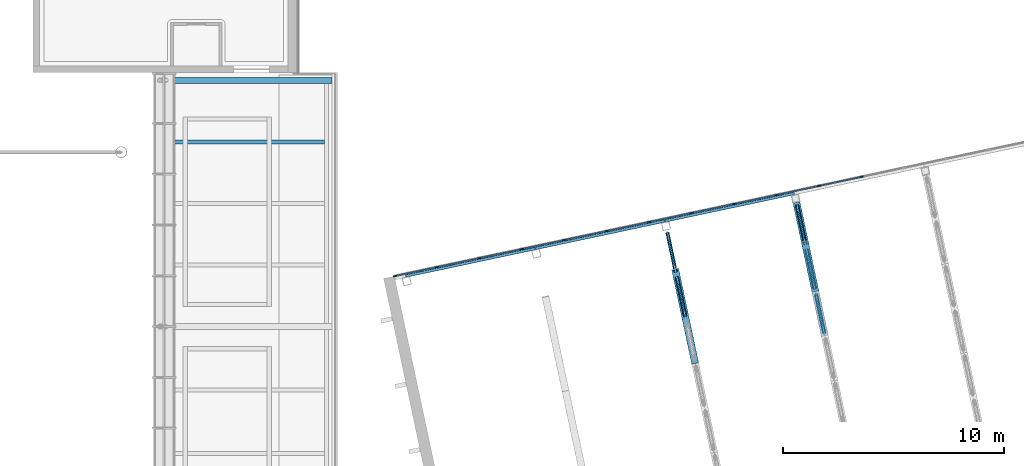
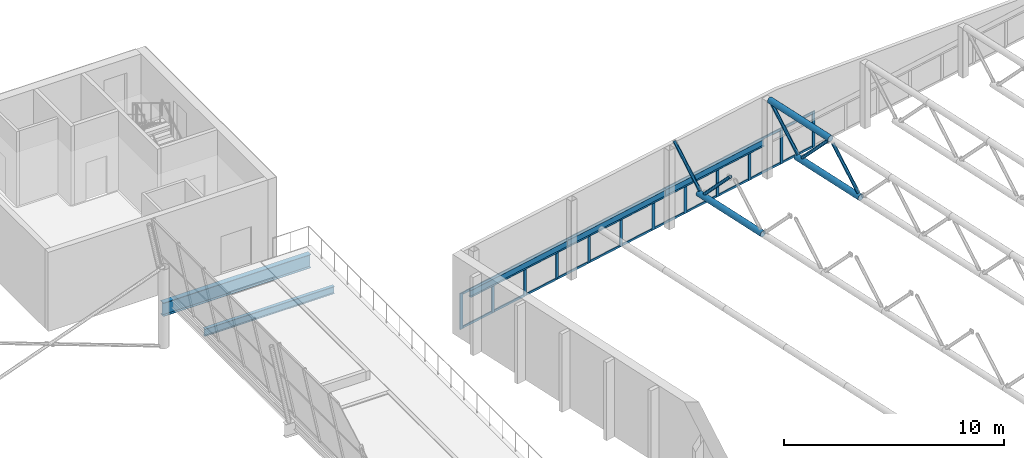
# One storey, part 17 of 58: 42 members, 5 beams, 1 element without a shape of its own.
"""IFC4 building model written with IfcOpenShell, lengths in metres."""

import ifcopenshell
import ifcopenshell.guid

model = None  # the IFC model being written
_history = None  # IfcOwnerHistory: only IFC2X3 demands one
_inside = {}  # id of a spatial element -> (the spatial element, [elements in it])
_under = {}  # id of a project, library or spatial element -> (it, [spatial elements below it])
_declared = {}  # id of a project -> (the project, [libraries it declares])
_typed = {}  # id of a type object -> (the type object, [elements of that type])
_made_of = {}  # id of a material, layer set ... -> (it, [elements and type objects made of it])


def new_model(schema):
    """Start an empty IFC model of exactly this schema.

    Asked for "IFC4X3", IfcOpenShell would pick the latest addendum, in which some entities
    have other attributes; the version numbers below select the first issue.
    IFC2X3 requires an IfcOwnerHistory on every rooted entity: one is made here for all.
    """
    global model, _history
    if schema == "IFC4X3":
        model = ifcopenshell.file(schema_version=(4, 3, 0, 0))
    else:
        model = ifcopenshell.file(schema=schema)
    _inside.clear()
    _under.clear()
    _declared.clear()
    _typed.clear()
    _made_of.clear()
    _history = None
    if model.schema == "IFC2X3":
        org = make("IfcOrganization", Name="unknown")
        user = make(
            "IfcPersonAndOrganization",
            ThePerson=make("IfcPerson", FamilyName="unknown"),
            TheOrganization=org,
        )
        app = make(
            "IfcApplication",
            ApplicationDeveloper=org,
            Version="unknown",
            ApplicationFullName="unknown",
            ApplicationIdentifier="unknown",
        )
        _history = make(
            "IfcOwnerHistory",
            OwningUser=user,
            OwningApplication=app,
            ChangeAction="ADDED",
            CreationDate=0,
        )
    return model


def make(cls, **values):
    """One entity of the class cls with the attributes given. An attribute that is None is left unset."""
    return model.create_entity(
        cls, **{name: value for name, value in values.items() if value is not None}
    )


def rooted(cls, **values):
    """An entity with a GlobalId (a new one), such as an element, a storey or a relation."""
    return make(cls, GlobalId=ifcopenshell.guid.new(), OwnerHistory=_history, **values)


def si_unit(unit_type, name, prefix=None):
    """IfcSIUnit, for example si_unit("LENGTHUNIT", "METRE", prefix="MILLI")."""
    return make("IfcSIUnit", UnitType=unit_type, Prefix=prefix, Name=name)


def assignment(units):
    """IfcUnitAssignment: the units of a project."""
    return None if units is None else make("IfcUnitAssignment", Units=units)


def point(xyz):
    """IfcCartesianPoint."""
    return None if xyz is None else make("IfcCartesianPoint", Coordinates=xyz)


def direction(xyz):
    """IfcDirection."""
    return None if xyz is None else make("IfcDirection", DirectionRatios=xyz)


def frame(location, z_axis=None, x_axis=None):
    """IfcAxis2Placement3D, a coordinate frame: its origin and axes. An axis left out is left unset."""
    return make(
        "IfcAxis2Placement3D",
        Location=point(location),
        Axis=direction(z_axis),
        RefDirection=direction(x_axis),
    )


def frame_2d(location, x_axis=None):
    """IfcAxis2Placement2D, a coordinate frame in the plane: its origin and x axis."""
    return make(
        "IfcAxis2Placement2D", Location=point(location), RefDirection=direction(x_axis)
    )


def origin():
    """The frame at (0, 0, 0) with its axes left unset."""
    return frame((0.0, 0.0, 0.0))


def origin_2d():
    """The frame at (0, 0) in the plane with its x axis left unset."""
    return frame_2d((0.0, 0.0))


def place(relative_to, where):
    """IfcLocalPlacement: puts the frame where relative to a parent placement (None: the world)."""
    return make(
        "IfcLocalPlacement", PlacementRelTo=relative_to, RelativePlacement=where
    )


def context(
    kind, dimensions, precision=None, world=None, true_north=None, identifier=None
):
    """IfcGeometricRepresentationContext, for example the 3D "Model" context."""
    return make(
        "IfcGeometricRepresentationContext",
        ContextIdentifier=identifier,
        ContextType=kind,
        CoordinateSpaceDimension=dimensions,
        Precision=precision,
        WorldCoordinateSystem=world,
        TrueNorth=true_north,
    )


def subcontext(parent, identifier, kind, view, scale=None):
    """IfcGeometricRepresentationSubContext, for example "Body" below "Model"."""
    return make(
        "IfcGeometricRepresentationSubContext",
        ContextIdentifier=identifier,
        ContextType=kind,
        ParentContext=parent,
        TargetScale=scale,
        TargetView=view,
    )


def project(units=None, contexts=None):
    """IfcProject with its units and contexts."""
    return rooted(
        "IfcProject",
        Name="project",
        RepresentationContexts=contexts,
        UnitsInContext=assignment(units),
    )


def spatial(cls, under=None, at=None, **own):
    """A site, building, storey or space (cls), placed at a placement, below another one or the project."""
    s = rooted(cls, ObjectPlacement=at, **own)
    if under is not None:
        _under.setdefault(under.id(), (under, []))[1].append(s)
    return s


def profile(cls, at=None, kind="AREA", **sizes):
    """A parametric profile (cls). Its sizes go by their IFC names, for example OverallWidth=200.0."""
    return make(cls, ProfileType=kind, Position=at, **sizes)


def rectangle(**sizes):
    """IfcRectangleProfileDef."""
    return profile("IfcRectangleProfileDef", **sizes)


def hollow_circle(**sizes):
    """IfcCircleHollowProfileDef."""
    return profile("IfcCircleHollowProfileDef", **sizes)


def i_section(**sizes):
    """IfcIShapeProfileDef."""
    return profile("IfcIShapeProfileDef", **sizes)


def extrude(swept, where, along, depth):
    """IfcExtrudedAreaSolid: the profile swept, set in the frame where, extruded along a direction by depth."""
    return make(
        "IfcExtrudedAreaSolid",
        SweptArea=swept,
        Position=where,
        ExtrudedDirection=direction(along),
        Depth=depth,
    )


def shape(context_of_items, identifier, shape_type, items):
    """IfcShapeRepresentation: the items that make up one representation, for example the "Body"."""
    return make(
        "IfcShapeRepresentation",
        ContextOfItems=context_of_items,
        RepresentationIdentifier=identifier,
        RepresentationType=shape_type,
        Items=items,
    )


def material(Name=None, Category=None):
    """IfcMaterial."""
    return make("IfcMaterial", Name=Name, Category=Category)


def layer(
    of_material, thickness, ventilated=None, Name=None, Category=None, Priority=None
):
    """IfcMaterialLayer: one layer of a wall or slab, of a material (None: an air gap)."""
    return make(
        "IfcMaterialLayer",
        Material=of_material,
        LayerThickness=thickness,
        IsVentilated=ventilated,
        Name=Name,
        Category=Category,
        Priority=Priority,
    )


def layer_set(layers, Name=None):
    """IfcMaterialLayerSet."""
    return make("IfcMaterialLayerSet", MaterialLayers=layers, LayerSetName=Name)


def material_profile(
    of_material, cross_section, Name=None, Category=None, Priority=None
):
    """IfcMaterialProfile: a cross section and its material."""
    return make(
        "IfcMaterialProfile",
        Name=Name,
        Material=of_material,
        Profile=cross_section,
        Priority=Priority,
        Category=Category,
    )


def profile_set(profiles, Name=None, composite=None):
    """IfcMaterialProfileSet."""
    return make(
        "IfcMaterialProfileSet",
        Name=Name,
        MaterialProfiles=profiles,
        CompositeProfile=composite,
    )


def made_of(thing, what):
    """Note that an element or type object is made of a material, layer set ...; save() writes the relation."""
    if what is not None:
        _made_of.setdefault(what.id(), (what, []))[1].append(thing)
    return thing


def type_object(cls, material=None, **own):
    """A type object (cls), such as IfcWallType, which elements share."""
    return made_of(rooted(cls, **own), material)


def element(
    cls,
    number,
    at=None,
    inside=None,
    cuts=None,
    type_object=None,
    material=None,
    context=None,
    identifier="Body",
    shape_type=None,
    held_by="IfcProductDefinitionShape",
    body=None,
    shapes=None,
    **own,
):
    """One element of the class cls, such as IfcWall. Its Tag is "e" and its number.

    at: its placement. inside: the storey or other place that contains it. cuts: it is an
    opening in that element (IfcRelVoidsElement). A single representation is given by context,
    identifier, shape_type and body (its items); several are given by shapes. held_by: the class
    of the entity that holds the representations. save() writes the other relations.
    """
    e = rooted(cls, Tag="e%d" % number, ObjectPlacement=at, **own)
    if body is not None:
        shapes = [shape(context, identifier, shape_type, body)]
    if shapes is not None:
        e.Representation = make(held_by, Representations=shapes)
    if inside is not None:
        _inside.setdefault(inside.id(), (inside, []))[1].append(e)
    if cuts is not None:
        rooted(
            "IfcRelVoidsElement", RelatingBuildingElement=cuts, RelatedOpeningElement=e
        )
    if type_object is not None:
        _typed.setdefault(type_object.id(), (type_object, []))[1].append(e)
    return made_of(e, material)


def aggregate(whole, parts):
    """IfcRelAggregates: a whole, such as a stair, and the parts it consists of."""
    return rooted("IfcRelAggregates", RelatingObject=whole, RelatedObjects=parts)


def save(model, path):
    """Write the relations noted so far, then the file.

    IfcRelAggregates (storeys below a building ...), IfcRelContainedInSpatialStructure (elements
    in a storey), IfcRelDefinesByType, IfcRelAssociatesMaterial and IfcRelDeclares: one each for
    every whole, place, type object, material and project.
    """
    for whole, parts in _under.values():
        aggregate(whole, parts)
    for where, things in _inside.values():
        rooted(
            "IfcRelContainedInSpatialStructure",
            RelatedElements=things,
            RelatingStructure=where,
        )
    for kind, things in _typed.values():
        rooted("IfcRelDefinesByType", RelatedObjects=things, RelatingType=kind)
    for what, things in _made_of.values():
        rooted("IfcRelAssociatesMaterial", RelatedObjects=things, RelatingMaterial=what)
    for by, libraries in _declared.values():
        rooted("IfcRelDeclares", RelatingContext=by, RelatedDefinitions=libraries)
    model.write(path)


model = new_model("IFC4")

# Units and contexts
model_context = context("Model", 3, precision=1e-05, world=origin(), true_north=direction((0.0, 1.0)))
body_context = subcontext(model_context, "Body", "Model", "MODEL_VIEW")
ifc_project = project(units=[si_unit("LENGTHUNIT", "METRE"), si_unit("AREAUNIT", "SQUARE_METRE"), si_unit("VOLUMEUNIT", "CUBIC_METRE"), si_unit("PLANEANGLEUNIT", "RADIAN"), si_unit("MASSUNIT", "GRAM", prefix="KILO")], contexts=[model_context])

# Site, building, storey
site_placement = place(None, origin())
site = spatial("IfcSite", under=ifc_project, at=site_placement, CompositionType="ELEMENT")
building_placement = place(site_placement, origin())
building = spatial("IfcBuilding", under=site, at=building_placement, Name="Windward Yard Aquatics Centre", CompositionType="ELEMENT")
storey_placement = place(building_placement, frame((0.0, 0.0, 13.800048828125)))
storey = spatial("IfcBuildingStorey", under=building, at=storey_placement, Name="L03", CompositionType="ELEMENT", Elevation=13.800048828125)

# Members
ifc_material_1 = material(Name="Steel ASTM A500 Gr C", Category="steel")
ifc_material_profile_1 = material_profile(ifc_material_1, hollow_circle(Radius=0.161865234375, WallThickness=0.0126953125, at=origin_2d()), Name="HSS323.9X12.7")
ifc_profile_set_1 = profile_set([ifc_material_profile_1], Name="Steel ASTM A500 Gr C")
member_type_1 = type_object("IfcMemberType", Name="D bottom chord HSS323.9X12.7", PredefinedType="CHORD", material=ifc_profile_set_1)
member_1_placement = place(storey_placement, frame((169.989501953125, 70.82861328125, 2.925537109375), z_axis=(-0.207907524746, 0.97814848625, 0.0), x_axis=(-0.97814848625, -0.207907524746, 0.0)))
element("IfcMember", 1, at=member_1_placement, inside=storey, type_object=member_type_1, Name="D.M.TR3.BC7", PredefinedType="CHORD", context=body_context, shape_type="SweptSolid", body=[
    extrude(hollow_circle(Radius=0.161865234375, WallThickness=0.0126953125, at=origin_2d()), origin(), (0.0, 0.0, 1.0), 4.37060546875),
])
member_2_placement = place(storey_placement, frame((175.858154296875, 72.076171875, 2.13623046875), z_axis=(-0.207865436968, 0.97815743115, 0.0), x_axis=(-0.97815743115, -0.207865436968, 0.0)))
element("IfcMember", 2, at=member_2_placement, inside=storey, type_object=member_type_1, Name="D.M.TR4.BC7", PredefinedType="CHORD", context=body_context, shape_type="SweptSolid", body=[
    extrude(hollow_circle(Radius=0.161865234375, WallThickness=0.0126953125, at=origin_2d()), origin(), (0.0, 0.0, 1.0), 4.370361328125),
])

# Curtain wall, members
ifc_material_2 = material(Name="Aluminium and glass", Category="aluminium")
ifc_layer = layer(ifc_material_2, 0.159912109375)
ifc_layer_set = layer_set([ifc_layer], Name="D curtain wall 160")
curtain_wall_type = type_object("IfcCurtainWallType", Name="D curtain wall 160", PredefinedType="NOTDEFINED", material=ifc_layer_set)
curtain_wall_placement = place(storey_placement, origin())
curtain_wall = element("IfcCurtainWall", 3, at=curtain_wall_placement, inside=storey, type_object=curtain_wall_type, Name="North glazing L03", PredefinedType="NOTDEFINED")
ifc_material_3 = material(Name="Aluminium extrusion", Category="aluminium")
ifc_material_profile_2 = material_profile(ifc_material_3, rectangle(XDim=0.06005859375, YDim=0.159912109375, at=origin_2d()), Name="MULLION 60X160")
ifc_profile_set_2 = profile_set([ifc_material_profile_2], Name="Aluminium extrusion")
member_type_2 = type_object("IfcMemberType", Name="D curtain wall mullion 60X160", PredefinedType="MULLION", material=ifc_profile_set_2)
member_3_placement = place(storey_placement, frame((156.399169921875, 74.788330078125, 0.0), z_axis=(0.0, 0.0, 1.0), x_axis=(-0.207911718662, 0.978147594815, 0.0)))
member_3 = element("IfcMember", 4, at=member_3_placement, type_object=member_type_2, Name="DCW-L03 mullion 1", PredefinedType="MULLION", context=body_context, shape_type="SweptSolid", body=[
    extrude(rectangle(XDim=0.06005859375, YDim=0.159912109375, at=origin_2d()), origin(), (0.0, 0.0, 1.0), 2.0),
])
member_4_placement = place(storey_placement, frame((158.292724609375, 75.19091796875, 0.0), z_axis=(0.0, 0.0, 1.0), x_axis=(-0.207911718662, 0.978147594815, 0.0)))
member_4 = element("IfcMember", 5, at=member_4_placement, type_object=member_type_2, Name="DCW-L03 mullion 2", PredefinedType="MULLION", context=body_context, shape_type="SweptSolid", body=[
    extrude(rectangle(XDim=0.06005859375, YDim=0.159912109375, at=origin_2d()), origin(), (0.0, 0.0, 1.0), 2.0),
])
member_5_placement = place(storey_placement, frame((160.215576171875, 75.599609375, 0.0), z_axis=(0.0, 0.0, 1.0), x_axis=(-0.207911718662, 0.978147594815, 0.0)))
member_5 = element("IfcMember", 6, at=member_5_placement, type_object=member_type_2, Name="DCW-L03 mullion 3", PredefinedType="MULLION", context=body_context, shape_type="SweptSolid", body=[
    extrude(rectangle(XDim=0.06005859375, YDim=0.159912109375, at=origin_2d()), origin(), (0.0, 0.0, 1.0), 2.0),
])
member_6_placement = place(storey_placement, frame((162.13818359375, 76.00830078125, 0.0), z_axis=(0.0, 0.0, 1.0), x_axis=(-0.207911718662, 0.978147594815, 0.0)))
member_6 = element("IfcMember", 7, at=member_6_placement, type_object=member_type_2, Name="DCW-L03 mullion 4", PredefinedType="MULLION", context=body_context, shape_type="SweptSolid", body=[
    extrude(rectangle(XDim=0.06005859375, YDim=0.159912109375, at=origin_2d()), origin(), (0.0, 0.0, 1.0), 2.0),
])
member_7_placement = place(storey_placement, frame((164.06103515625, 76.4169921875, 0.0), z_axis=(0.0, 0.0, 1.0), x_axis=(-0.207911718662, 0.978147594815, 0.0)))
member_7 = element("IfcMember", 8, at=member_7_placement, type_object=member_type_2, Name="DCW-L03 mullion 5", PredefinedType="MULLION", context=body_context, shape_type="SweptSolid", body=[
    extrude(rectangle(XDim=0.06005859375, YDim=0.159912109375, at=origin_2d()), origin(), (0.0, 0.0, 1.0), 2.0),
])
member_8_placement = place(storey_placement, frame((165.98388671875, 76.82568359375, 0.0), z_axis=(0.0, 0.0, 1.0), x_axis=(-0.207911718662, 0.978147594815, 0.0)))
member_8 = element("IfcMember", 9, at=member_8_placement, type_object=member_type_2, Name="DCW-L03 mullion 6", PredefinedType="MULLION", context=body_context, shape_type="SweptSolid", body=[
    extrude(rectangle(XDim=0.06005859375, YDim=0.159912109375, at=origin_2d()), origin(), (0.0, 0.0, 1.0), 2.0),
])
member_9_placement = place(storey_placement, frame((167.90673828125, 77.234375, 0.0), z_axis=(0.0, 0.0, 1.0), x_axis=(-0.207911718662, 0.978147594815, 0.0)))
member_9 = element("IfcMember", 10, at=member_9_placement, type_object=member_type_2, Name="DCW-L03 mullion 7", PredefinedType="MULLION", context=body_context, shape_type="SweptSolid", body=[
    extrude(rectangle(XDim=0.06005859375, YDim=0.159912109375, at=origin_2d()), origin(), (0.0, 0.0, 1.0), 2.0),
])
member_10_placement = place(storey_placement, frame((169.82958984375, 77.64306640625, 0.0), z_axis=(0.0, 0.0, 1.0), x_axis=(-0.207911718662, 0.978147594815, 0.0)))
member_10 = element("IfcMember", 11, at=member_10_placement, type_object=member_type_2, Name="DCW-L03 mullion 8", PredefinedType="MULLION", context=body_context, shape_type="SweptSolid", body=[
    extrude(rectangle(XDim=0.06005859375, YDim=0.159912109375, at=origin_2d()), origin(), (0.0, 0.0, 1.0), 2.0),
])
member_11_placement = place(storey_placement, frame((171.75244140625, 78.0517578125, 0.0), z_axis=(0.0, 0.0, 1.0), x_axis=(-0.207911718662, 0.978147594815, 0.0)))
member_11 = element("IfcMember", 12, at=member_11_placement, type_object=member_type_2, Name="DCW-L03 mullion 9", PredefinedType="MULLION", context=body_context, shape_type="SweptSolid", body=[
    extrude(rectangle(XDim=0.06005859375, YDim=0.159912109375, at=origin_2d()), origin(), (0.0, 0.0, 1.0), 2.0),
])
member_12_placement = place(storey_placement, frame((173.67529296875, 78.46044921875, 0.0), z_axis=(0.0, 0.0, 1.0), x_axis=(-0.207911718662, 0.978147594815, 0.0)))
member_12 = element("IfcMember", 13, at=member_12_placement, type_object=member_type_2, Name="DCW-L03 mullion 10", PredefinedType="MULLION", context=body_context, shape_type="SweptSolid", body=[
    extrude(rectangle(XDim=0.06005859375, YDim=0.159912109375, at=origin_2d()), origin(), (0.0, 0.0, 1.0), 2.0),
])
member_13_placement = place(storey_placement, frame((175.59814453125, 78.869140625, 0.0), z_axis=(0.0, 0.0, 1.0), x_axis=(-0.207911718662, 0.978147594815, 0.0)))
member_13 = element("IfcMember", 14, at=member_13_placement, type_object=member_type_2, Name="DCW-L03 mullion 11", PredefinedType="MULLION", context=body_context, shape_type="SweptSolid", body=[
    extrude(rectangle(XDim=0.06005859375, YDim=0.159912109375, at=origin_2d()), origin(), (0.0, 0.0, 1.0), 2.0),
])
member_14_placement = place(storey_placement, frame((177.52099609375, 79.27783203125, 0.0), z_axis=(0.0, 0.0, 1.0), x_axis=(-0.207911718662, 0.978147594815, 0.0)))
member_14 = element("IfcMember", 15, at=member_14_placement, type_object=member_type_2, Name="DCW-L03 mullion 12", PredefinedType="MULLION", context=body_context, shape_type="SweptSolid", body=[
    extrude(rectangle(XDim=0.06005859375, YDim=0.159912109375, at=origin_2d()), origin(), (0.0, 0.0, 1.0), 2.0),
])
ifc_material_profile_3 = material_profile(ifc_material_3, rectangle(XDim=0.06005859375, YDim=0.1201171875, at=origin_2d()), Name="TRANSOM 60X120")
ifc_profile_set_3 = profile_set([ifc_material_profile_3], Name="Aluminium extrusion")
member_type_3 = type_object("IfcMemberType", Name="D curtain wall transom 60X120", PredefinedType="USERDEFINED", material=ifc_profile_set_3)
member_15_placement = place(storey_placement, frame((156.428466796875, 74.794677734375, 0.06005859375), z_axis=(0.97815719688, 0.207866539377, 0.0), x_axis=(-0.207866539377, 0.97815719688, 0.0)))
member_15 = element("IfcMember", 16, at=member_15_placement, type_object=member_type_3, Name="DCW-L03 transom 1.1", ObjectType="TRANSOM", PredefinedType="USERDEFINED", context=body_context, shape_type="SweptSolid", body=[
    extrude(rectangle(XDim=0.06005859375, YDim=0.1201171875, at=origin_2d()), origin(), (0.0, 0.0, 1.0), 1.875732421875),
])
member_16_placement = place(storey_placement, frame((156.428466796875, 74.794677734375, 1.93994140625), z_axis=(0.97815719688, 0.207866539377, 0.0), x_axis=(-0.207866539377, 0.97815719688, 0.0)))
member_16 = element("IfcMember", 17, at=member_16_placement, type_object=member_type_3, Name="DCW-L03 transom 1.2", ObjectType="TRANSOM", PredefinedType="USERDEFINED", context=body_context, shape_type="SweptSolid", body=[
    extrude(rectangle(XDim=0.06005859375, YDim=0.1201171875, at=origin_2d()), origin(), (0.0, 0.0, 1.0), 1.875732421875),
])
member_17_placement = place(storey_placement, frame((158.322021484375, 75.197021484375, 0.06005859375), z_axis=(0.978144196583, 0.207927705443, 0.0), x_axis=(-0.207927705443, 0.978144196583, 0.0)))
member_17 = element("IfcMember", 18, at=member_17_placement, type_object=member_type_3, Name="DCW-L03 transom 2.1", ObjectType="TRANSOM", PredefinedType="USERDEFINED", context=body_context, shape_type="SweptSolid", body=[
    extrude(rectangle(XDim=0.06005859375, YDim=0.1201171875, at=origin_2d()), origin(), (0.0, 0.0, 1.0), 1.90576171875),
])
member_18_placement = place(storey_placement, frame((158.322021484375, 75.197021484375, 1.93994140625), z_axis=(0.978144196583, 0.207927705443, 0.0), x_axis=(-0.207927705443, 0.978144196583, 0.0)))
member_18 = element("IfcMember", 19, at=member_18_placement, type_object=member_type_3, Name="DCW-L03 transom 2.2", ObjectType="TRANSOM", PredefinedType="USERDEFINED", context=body_context, shape_type="SweptSolid", body=[
    extrude(rectangle(XDim=0.06005859375, YDim=0.1201171875, at=origin_2d()), origin(), (0.0, 0.0, 1.0), 1.90576171875),
])
member_19_placement = place(storey_placement, frame((160.244873046875, 75.605712890625, 0.06005859375), z_axis=(0.978144196583, 0.207927705443, 0.0), x_axis=(-0.207927705443, 0.978144196583, 0.0)))
member_19 = element("IfcMember", 20, at=member_19_placement, type_object=member_type_3, Name="DCW-L03 transom 3.1", ObjectType="TRANSOM", PredefinedType="USERDEFINED", context=body_context, shape_type="SweptSolid", body=[
    extrude(rectangle(XDim=0.06005859375, YDim=0.1201171875, at=origin_2d()), origin(), (0.0, 0.0, 1.0), 1.90576171875),
])
member_20_placement = place(storey_placement, frame((160.244873046875, 75.605712890625, 1.93994140625), z_axis=(0.978144196583, 0.207927705443, 0.0), x_axis=(-0.207927705443, 0.978144196583, 0.0)))
member_20 = element("IfcMember", 21, at=member_20_placement, type_object=member_type_3, Name="DCW-L03 transom 3.2", ObjectType="TRANSOM", PredefinedType="USERDEFINED", context=body_context, shape_type="SweptSolid", body=[
    extrude(rectangle(XDim=0.06005859375, YDim=0.1201171875, at=origin_2d()), origin(), (0.0, 0.0, 1.0), 1.90576171875),
])
member_21_placement = place(storey_placement, frame((162.167724609375, 76.014404296875, 0.06005859375), z_axis=(0.978144196583, 0.207927705443, 0.0), x_axis=(-0.207927705443, 0.978144196583, 0.0)))
member_21 = element("IfcMember", 22, at=member_21_placement, type_object=member_type_3, Name="DCW-L03 transom 4.1", ObjectType="TRANSOM", PredefinedType="USERDEFINED", context=body_context, shape_type="SweptSolid", body=[
    extrude(rectangle(XDim=0.06005859375, YDim=0.1201171875, at=origin_2d()), origin(), (0.0, 0.0, 1.0), 1.90576171875),
])
member_22_placement = place(storey_placement, frame((162.167724609375, 76.014404296875, 1.93994140625), z_axis=(0.978144196583, 0.207927705443, 0.0), x_axis=(-0.207927705443, 0.978144196583, 0.0)))
member_22 = element("IfcMember", 23, at=member_22_placement, type_object=member_type_3, Name="DCW-L03 transom 4.2", ObjectType="TRANSOM", PredefinedType="USERDEFINED", context=body_context, shape_type="SweptSolid", body=[
    extrude(rectangle(XDim=0.06005859375, YDim=0.1201171875, at=origin_2d()), origin(), (0.0, 0.0, 1.0), 1.90576171875),
])
member_23_placement = place(storey_placement, frame((164.090576171875, 76.423095703125, 0.06005859375), z_axis=(0.978144196583, 0.207927705443, 0.0), x_axis=(-0.207927705443, 0.978144196583, 0.0)))
member_23 = element("IfcMember", 24, at=member_23_placement, type_object=member_type_3, Name="DCW-L03 transom 5.1", ObjectType="TRANSOM", PredefinedType="USERDEFINED", context=body_context, shape_type="SweptSolid", body=[
    extrude(rectangle(XDim=0.06005859375, YDim=0.1201171875, at=origin_2d()), origin(), (0.0, 0.0, 1.0), 1.90576171875),
])
member_24_placement = place(storey_placement, frame((164.090576171875, 76.423095703125, 1.93994140625), z_axis=(0.978144196583, 0.207927705443, 0.0), x_axis=(-0.207927705443, 0.978144196583, 0.0)))
member_24 = element("IfcMember", 25, at=member_24_placement, type_object=member_type_3, Name="DCW-L03 transom 5.2", ObjectType="TRANSOM", PredefinedType="USERDEFINED", context=body_context, shape_type="SweptSolid", body=[
    extrude(rectangle(XDim=0.06005859375, YDim=0.1201171875, at=origin_2d()), origin(), (0.0, 0.0, 1.0), 1.90576171875),
])
member_25_placement = place(storey_placement, frame((166.01318359375, 76.831787109375, 0.06005859375), z_axis=(0.978149734379, 0.207901652553, 0.0), x_axis=(-0.207901652553, 0.978149734379, 0.0)))
member_25 = element("IfcMember", 26, at=member_25_placement, type_object=member_type_3, Name="DCW-L03 transom 6.1", ObjectType="TRANSOM", PredefinedType="USERDEFINED", context=body_context, shape_type="SweptSolid", body=[
    extrude(rectangle(XDim=0.06005859375, YDim=0.1201171875, at=origin_2d()), origin(), (0.0, 0.0, 1.0), 1.906005859375),
])
member_26_placement = place(storey_placement, frame((166.01318359375, 76.831787109375, 1.93994140625), z_axis=(0.978149734379, 0.207901652553, 0.0), x_axis=(-0.207901652553, 0.978149734379, 0.0)))
member_26 = element("IfcMember", 27, at=member_26_placement, type_object=member_type_3, Name="DCW-L03 transom 6.2", ObjectType="TRANSOM", PredefinedType="USERDEFINED", context=body_context, shape_type="SweptSolid", body=[
    extrude(rectangle(XDim=0.06005859375, YDim=0.1201171875, at=origin_2d()), origin(), (0.0, 0.0, 1.0), 1.906005859375),
])
member_27_placement = place(storey_placement, frame((167.93603515625, 77.240478515625, 0.06005859375), z_axis=(0.978149734379, 0.207901652553, 0.0), x_axis=(-0.207901652553, 0.978149734379, 0.0)))
member_27 = element("IfcMember", 28, at=member_27_placement, type_object=member_type_3, Name="DCW-L03 transom 7.1", ObjectType="TRANSOM", PredefinedType="USERDEFINED", context=body_context, shape_type="SweptSolid", body=[
    extrude(rectangle(XDim=0.06005859375, YDim=0.1201171875, at=origin_2d()), origin(), (0.0, 0.0, 1.0), 1.906005859375),
])
member_28_placement = place(storey_placement, frame((167.93603515625, 77.240478515625, 1.93994140625), z_axis=(0.978149734379, 0.207901652553, 0.0), x_axis=(-0.207901652553, 0.978149734379, 0.0)))
member_28 = element("IfcMember", 29, at=member_28_placement, type_object=member_type_3, Name="DCW-L03 transom 7.2", ObjectType="TRANSOM", PredefinedType="USERDEFINED", context=body_context, shape_type="SweptSolid", body=[
    extrude(rectangle(XDim=0.06005859375, YDim=0.1201171875, at=origin_2d()), origin(), (0.0, 0.0, 1.0), 1.906005859375),
])
member_29_placement = place(storey_placement, frame((169.85888671875, 77.6494140625, 0.06005859375), z_axis=(0.978149734379, 0.207901652553, 0.0), x_axis=(-0.207901652553, 0.978149734379, 0.0)))
member_29 = element("IfcMember", 30, at=member_29_placement, type_object=member_type_3, Name="DCW-L03 transom 8.1", ObjectType="TRANSOM", PredefinedType="USERDEFINED", context=body_context, shape_type="SweptSolid", body=[
    extrude(rectangle(XDim=0.06005859375, YDim=0.1201171875, at=origin_2d()), origin(), (0.0, 0.0, 1.0), 1.906005859375),
])
member_30_placement = place(storey_placement, frame((169.85888671875, 77.6494140625, 1.93994140625), z_axis=(0.978149734379, 0.207901652553, 0.0), x_axis=(-0.207901652553, 0.978149734379, 0.0)))
member_30 = element("IfcMember", 31, at=member_30_placement, type_object=member_type_3, Name="DCW-L03 transom 8.2", ObjectType="TRANSOM", PredefinedType="USERDEFINED", context=body_context, shape_type="SweptSolid", body=[
    extrude(rectangle(XDim=0.06005859375, YDim=0.1201171875, at=origin_2d()), origin(), (0.0, 0.0, 1.0), 1.906005859375),
])
member_31_placement = place(storey_placement, frame((171.78173828125, 78.05810546875, 0.06005859375), z_axis=(0.978149734379, 0.207901652553, 0.0), x_axis=(-0.207901652553, 0.978149734379, 0.0)))
member_31 = element("IfcMember", 32, at=member_31_placement, type_object=member_type_3, Name="DCW-L03 transom 9.1", ObjectType="TRANSOM", PredefinedType="USERDEFINED", context=body_context, shape_type="SweptSolid", body=[
    extrude(rectangle(XDim=0.06005859375, YDim=0.1201171875, at=origin_2d()), origin(), (0.0, 0.0, 1.0), 1.906005859375),
])
member_32_placement = place(storey_placement, frame((171.78173828125, 78.05810546875, 1.93994140625), z_axis=(0.978149734379, 0.207901652553, 0.0), x_axis=(-0.207901652553, 0.978149734379, 0.0)))
member_32 = element("IfcMember", 33, at=member_32_placement, type_object=member_type_3, Name="DCW-L03 transom 9.2", ObjectType="TRANSOM", PredefinedType="USERDEFINED", context=body_context, shape_type="SweptSolid", body=[
    extrude(rectangle(XDim=0.06005859375, YDim=0.1201171875, at=origin_2d()), origin(), (0.0, 0.0, 1.0), 1.906005859375),
])
member_33_placement = place(storey_placement, frame((173.70458984375, 78.466796875, 0.06005859375), z_axis=(0.978149734379, 0.207901652553, 0.0), x_axis=(-0.207901652553, 0.978149734379, 0.0)))
member_33 = element("IfcMember", 34, at=member_33_placement, type_object=member_type_3, Name="DCW-L03 transom 10.1", ObjectType="TRANSOM", PredefinedType="USERDEFINED", context=body_context, shape_type="SweptSolid", body=[
    extrude(rectangle(XDim=0.06005859375, YDim=0.1201171875, at=origin_2d()), origin(), (0.0, 0.0, 1.0), 1.906005859375),
])
member_34_placement = place(storey_placement, frame((173.70458984375, 78.466796875, 1.93994140625), z_axis=(0.978149734379, 0.207901652553, 0.0), x_axis=(-0.207901652553, 0.978149734379, 0.0)))
member_34 = element("IfcMember", 35, at=member_34_placement, type_object=member_type_3, Name="DCW-L03 transom 10.2", ObjectType="TRANSOM", PredefinedType="USERDEFINED", context=body_context, shape_type="SweptSolid", body=[
    extrude(rectangle(XDim=0.06005859375, YDim=0.1201171875, at=origin_2d()), origin(), (0.0, 0.0, 1.0), 1.906005859375),
])
member_35_placement = place(storey_placement, frame((175.62744140625, 78.87548828125, 0.06005859375), z_axis=(0.978149734379, 0.207901652553, 0.0), x_axis=(-0.207901652553, 0.978149734379, 0.0)))
member_35 = element("IfcMember", 36, at=member_35_placement, type_object=member_type_3, Name="DCW-L03 transom 11.1", ObjectType="TRANSOM", PredefinedType="USERDEFINED", context=body_context, shape_type="SweptSolid", body=[
    extrude(rectangle(XDim=0.06005859375, YDim=0.1201171875, at=origin_2d()), origin(), (0.0, 0.0, 1.0), 1.906005859375),
])
member_36_placement = place(storey_placement, frame((175.62744140625, 78.87548828125, 1.93994140625), z_axis=(0.978149734379, 0.207901652553, 0.0), x_axis=(-0.207901652553, 0.978149734379, 0.0)))
member_36 = element("IfcMember", 37, at=member_36_placement, type_object=member_type_3, Name="DCW-L03 transom 11.2", ObjectType="TRANSOM", PredefinedType="USERDEFINED", context=body_context, shape_type="SweptSolid", body=[
    extrude(rectangle(XDim=0.06005859375, YDim=0.1201171875, at=origin_2d()), origin(), (0.0, 0.0, 1.0), 1.906005859375),
])
aggregate(curtain_wall, [member_3, member_4, member_5, member_6, member_7, member_8, member_9, member_10, member_11, member_12, member_13, member_14, member_15, member_16, member_17, member_18, member_19, member_20, member_21, member_22, member_23, member_24, member_25, member_26, member_27, member_28, member_29, member_30, member_31, member_32, member_33, member_34, member_35, member_36])

# Beams
ifc_material_4 = material(Name="Steel ASTM A992 Gr 50", Category="steel")
ifc_material_profile_4 = material_profile(ifc_material_4, i_section(OverallWidth=0.177978515625, OverallDepth=0.406005859375, WebThickness=0.0078125, FlangeThickness=0.0126953125, at=origin_2d()), Name="W410X60")
ifc_profile_set_4 = profile_set([ifc_material_profile_4], Name="Steel ASTM A992 Gr 50")
beam_type_1 = type_object("IfcBeamType", Name="D fascia girder W410X60", PredefinedType="BEAM", material=ifc_profile_set_4)
for number, where, z_axis, x_axis, name in (
    (38, (156.873291015625, 74.817626953125, 1.796875), (0.978144681088, 0.207925426197, 0.0), (-0.207925426197, 0.978144681088, 0.0), "D.B.FA1"),
    (39, (162.7421875, 76.065185546875, 1.796875), (0.978152955943, 0.207886494942, 0.0), (-0.207886494942, 0.978152955943, 0.0), "D.B.FA2"),
    (40, (168.611083984375, 77.3125, 1.796875), (0.978144681088, 0.207925426197, 0.0), (-0.207925426197, 0.978144681088, 0.0), "D.B.FA3"),
):
    element("IfcBeam", number, at=place(storey_placement, frame(where, z_axis=z_axis, x_axis=x_axis)), inside=storey, type_object=beam_type_1, Name=name, PredefinedType="BEAM", context=body_context, shape_type="SweptSolid", body=[
        extrude(i_section(OverallWidth=0.177978515625, OverallDepth=0.406005859375, WebThickness=0.0078125, FlangeThickness=0.0126953125, at=origin_2d()), origin(), (0.0, 0.0, 1.0), 6.0),
    ])

# Members
ifc_material_profile_5 = material_profile(ifc_material_1, hollow_circle(Radius=0.161865234375, WallThickness=0.0126953125, at=origin_2d()), Name="HSS323.9X12.7")
ifc_profile_set_5 = profile_set([ifc_material_profile_5], Name="Steel ASTM A500 Gr C")
member_type_4 = type_object("IfcMemberType", Name="D top chord HSS323.9X12.7", PredefinedType="CHORD", material=ifc_profile_set_5)
member_37_placement = place(storey_placement, frame((175.429931640625, 74.09130859375, 4.336181640625), z_axis=(-0.207906233063, 0.978148760799, 0.0), x_axis=(-0.978148760799, -0.207906233063, 0.0)))
element("IfcMember", 41, at=member_37_placement, inside=storey, type_object=member_type_4, Name="D.M.TR4.TC8", PredefinedType="CHORD", context=body_context, shape_type="SweptSolid", body=[
    extrude(hollow_circle(Radius=0.161865234375, WallThickness=0.0126953125, at=origin_2d()), origin(), (0.0, 0.0, 1.0), 4.12060546875),
])
ifc_material_profile_6 = material_profile(ifc_material_1, hollow_circle(Radius=0.084228515625, WallThickness=0.010986328125, at=origin_2d()), Name="HSS168.3X11")
ifc_profile_set_6 = profile_set([ifc_material_profile_6], Name="Steel ASTM A500 Gr C")
member_type_5 = type_object("IfcMemberType", Name="D web HSS168.3X11", PredefinedType="BRACE", material=ifc_profile_set_6)
for number, where, z_axis, x_axis, name in (
    (42, (169.529541015625, 72.9921875, 4.963623046875), (-0.142103284534, 0.668626350155, -0.729894143286), (-0.978152846624, -0.207887009312, 0.0), "D.M.TR3.D15"),
    (43, (168.73583984375, 76.72607421875, 4.963623046875), (0.142103284534, -0.668626350155, -0.729894143286), (0.978152846624, 0.207887009312, 0.0), "D.M.TR3.D16"),
    (44, (175.46142578125, 73.943115234375, 4.17431640625), (0.142103284534, -0.668626350155, -0.729894143286), (0.978152846624, 0.207887009312, 0.0), "D.M.TR4.D14"),
    (45, (175.3984375, 74.23974609375, 4.17431640625), (-0.142103284534, 0.668626350155, -0.729894143286), (-0.978152846624, -0.207887009312, 0.0), "D.M.TR4.D15"),
    (46, (174.604736328125, 77.973388671875, 4.17431640625), (0.142103284534, -0.668626350155, -0.729894143286), (0.978152846624, 0.207887009312, 0.0), "D.M.TR4.D16"),
):
    element("IfcMember", number, at=place(storey_placement, frame(where, z_axis=z_axis, x_axis=x_axis)), inside=storey, type_object=member_type_5, Name=name, PredefinedType="BRACE", context=body_context, shape_type="SweptSolid", body=[
        extrude(hollow_circle(Radius=0.084228515625, WallThickness=0.010986328125, at=origin_2d()), origin(), (0.0, 0.0, 1.0), 2.5703125),
    ])

# Beams
ifc_material_profile_7 = material_profile(ifc_material_4, i_section(OverallWidth=0.177978515625, OverallDepth=0.406005859375, WebThickness=0.0078125, FlangeThickness=0.0126953125, at=origin_2d()), Name="W410X60")
ifc_profile_set_7 = profile_set([ifc_material_profile_7], Name="Steel ASTM A992 Gr 50")
beam_type_2 = type_object("IfcBeamType", Name="H terrace secondary beam W410X60", PredefinedType="BEAM", material=ifc_profile_set_7)
beam_1_placement = place(storey_placement, frame((153.2119140625, 80.862548828125, -0.35302734375), z_axis=(-1.0, 0.0, 0.0), x_axis=(0.0, -1.0, 0.0)))
element("IfcBeam", 47, at=beam_1_placement, inside=storey, type_object=beam_type_2, Name="H.T1S.E4.3", PredefinedType="BEAM", context=body_context, shape_type="SweptSolid", body=[
    extrude(i_section(OverallWidth=0.177978515625, OverallDepth=0.406005859375, WebThickness=0.0078125, FlangeThickness=0.0126953125, at=origin_2d()), origin(), (0.0, 0.0, 1.0), 6.83251953125),
])
ifc_material_profile_8 = material_profile(ifc_material_4, i_section(OverallWidth=0.26708984375, OverallDepth=0.75390625, WebThickness=0.01318359375, FlangeThickness=0.01708984375, at=origin_2d()), Name="W760X147")
ifc_profile_set_8 = profile_set([ifc_material_profile_8], Name="Steel ASTM A992 Gr 50")
beam_type_3 = type_object("IfcBeamType", Name="H terrace transfer girder W760X147", PredefinedType="BEAM", material=ifc_profile_set_8)
beam_2_placement = place(storey_placement, frame((153.551025390625, 83.64990234375, -0.527099609375), z_axis=(-1.0, 0.0, 0.0), x_axis=(0.0, -1.0, 0.0)))
element("IfcBeam", 48, at=beam_2_placement, inside=storey, type_object=beam_type_3, Name="H.T1B.E5", PredefinedType="BEAM", context=body_context, shape_type="SweptSolid", body=[
    extrude(i_section(OverallWidth=0.26708984375, OverallDepth=0.75390625, WebThickness=0.01318359375, FlangeThickness=0.01708984375, at=origin_2d()), origin(), (0.0, 0.0, 1.0), 7.766357421875),
])

save(model, "model.ifc")
